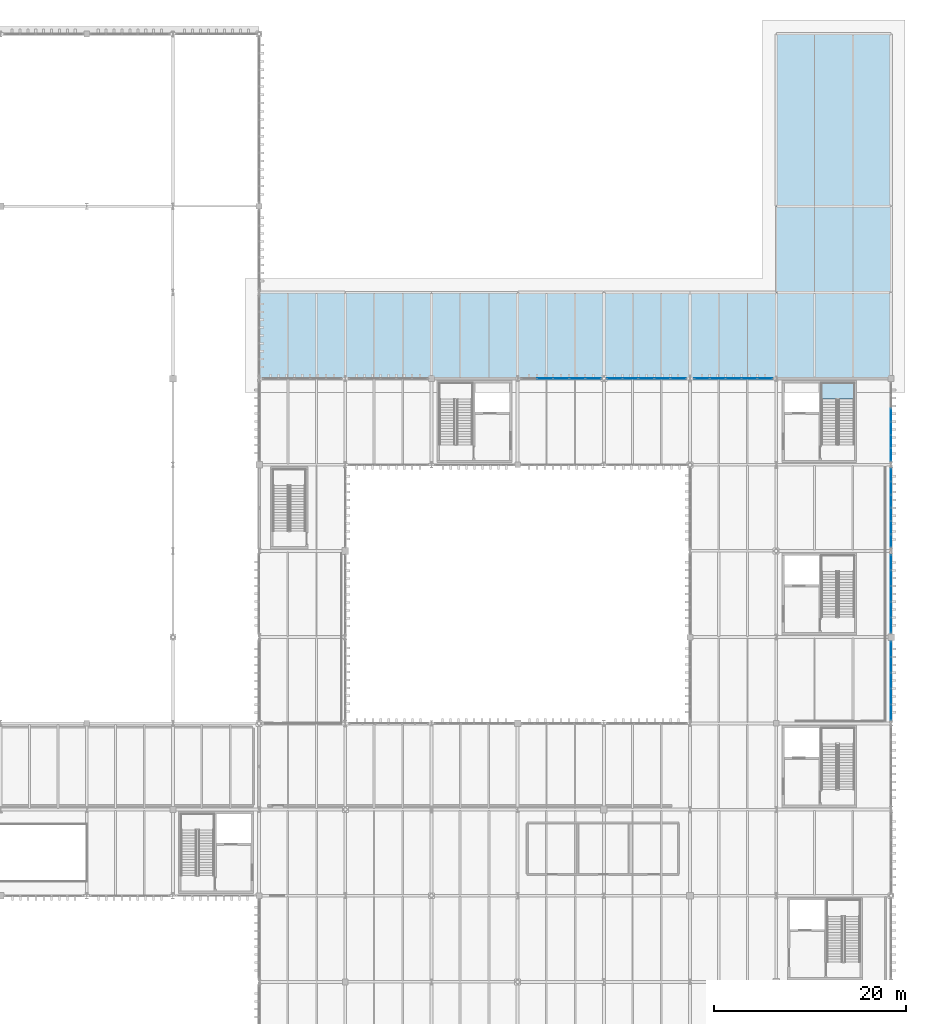
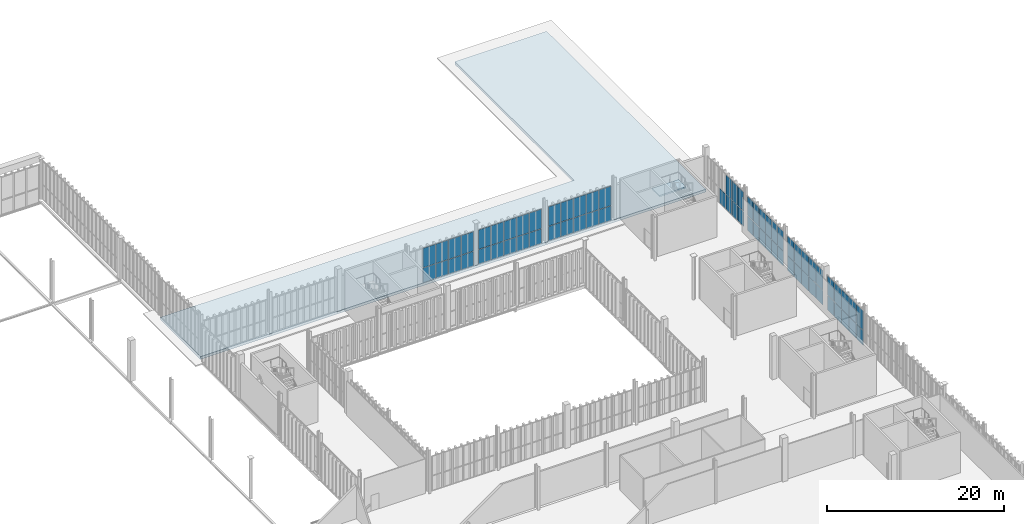
# One storey, part 194 of 237: 67 plates, 2 slabs, 8 elements without a shape of their own.
"""IFC4 building model written with IfcOpenShell, lengths in metres."""

from ifc_helpers import new_model, si_unit, direction, frame, origin, origin_2d, place, context, subcontext, project, spatial, polyline, rectangle, outline, extrude, material, layer, layer_set, type_object, element, aggregate, save


model = new_model("IFC4")

# Units and contexts
model_context = context("Model", 3, precision=1e-05, world=origin(), true_north=direction((0.0, 1.0)))
body_context = subcontext(model_context, "Body", "Model", "MODEL_VIEW")
ifc_project = project(units=[si_unit("LENGTHUNIT", "METRE"), si_unit("AREAUNIT", "SQUARE_METRE"), si_unit("VOLUMEUNIT", "CUBIC_METRE"), si_unit("PLANEANGLEUNIT", "RADIAN"), si_unit("MASSUNIT", "GRAM", prefix="KILO")], contexts=[model_context])

# Site, building, storey
site_placement = place(None, origin())
site = spatial("IfcSite", under=ifc_project, at=site_placement, CompositionType="ELEMENT")
building_placement = place(site_placement, origin())
building = spatial("IfcBuilding", under=site, at=building_placement, Name="Barlavento Convention Centre", CompositionType="ELEMENT")
storey_placement = place(building_placement, frame((0.0, 0.0, 12.0)))
storey = spatial("IfcBuildingStorey", under=building, at=storey_placement, Name="L02", CompositionType="ELEMENT", Elevation=12.0)

# Curtain wall, plates
ifc_material_1 = material(Name="Powder-coated aluminium and Low-E glass", Category="aluminium")
ifc_layer_1 = layer(ifc_material_1, 0.195068359375)
ifc_layer_set_1 = layer_set([ifc_layer_1], Name="ARC-CW-BALL-L02")
curtain_wall_type = type_object("IfcCurtainWallType", Name="ARC-CW-BALL-L02", PredefinedType="NOTDEFINED", material=ifc_layer_set_1)
curtain_wall_1_placement = place(storey_placement, origin())
curtain_wall_1 = element("IfcCurtainWall", 1, at=curtain_wall_1_placement, inside=storey, type_object=curtain_wall_type, Name="L02 unitised curtain wall CW07", PredefinedType="NOTDEFINED")
ifc_material_2 = material(Name="Double-silver Low-E insulated glass", Category="glass")
ifc_layer_2 = layer(ifc_material_2, 0.028076171875)
ifc_layer_set_2 = layer_set([ifc_layer_2], Name="ARC-CWP-GLZ28")
plate_type = type_object("IfcPlateType", Name="ARC-CWP-GLZ28", PredefinedType="CURTAIN_PANEL", material=ifc_layer_set_2)
plate_1_placement = place(storey_placement, frame((192.0, 64.171875, 0.06005859375), z_axis=(0.0, 0.0, 1.0), x_axis=(0.0, 1.0, 0.0)))
plate_1 = element("IfcPlate", 2, at=plate_1_placement, type_object=plate_type, Name="CW07 panel 1.1", PredefinedType="CURTAIN_PANEL", context=body_context, shape_type="SweptSolid", body=[
    extrude(rectangle(XDim=1.5595703125, YDim=0.028076171875, at=origin_2d()), origin(), (0.0, 0.0, 1.0), 2.010009765625),
])
plate_2_placement = place(storey_placement, frame((192.0, 64.171875, 2.1298828125), z_axis=(0.0, 0.0, 1.0), x_axis=(0.0, 1.0, 0.0)))
plate_2 = element("IfcPlate", 3, at=plate_2_placement, type_object=plate_type, Name="CW07 panel 1.2", PredefinedType="CURTAIN_PANEL", context=body_context, shape_type="SweptSolid", body=[
    extrude(rectangle(XDim=1.5595703125, YDim=0.028076171875, at=origin_2d()), origin(), (0.0, 0.0, 1.0), 2.659912109375),
])
plate_3_placement = place(storey_placement, frame((192.0, 65.806396484375, 0.06005859375), z_axis=(0.0, 0.0, 1.0), x_axis=(0.0, 1.0, 0.0)))
plate_3 = element("IfcPlate", 4, at=plate_3_placement, type_object=plate_type, Name="CW07 panel 2.1", PredefinedType="CURTAIN_PANEL", context=body_context, shape_type="SweptSolid", body=[
    extrude(rectangle(XDim=1.589599609375, YDim=0.028076171875, at=origin_2d()), origin(), (0.0, 0.0, 1.0), 2.010009765625),
])
plate_4_placement = place(storey_placement, frame((192.0, 65.806396484375, 2.1298828125), z_axis=(0.0, 0.0, 1.0), x_axis=(0.0, 1.0, 0.0)))
plate_4 = element("IfcPlate", 5, at=plate_4_placement, type_object=plate_type, Name="CW07 panel 2.2", PredefinedType="CURTAIN_PANEL", context=body_context, shape_type="SweptSolid", body=[
    extrude(rectangle(XDim=1.589599609375, YDim=0.028076171875, at=origin_2d()), origin(), (0.0, 0.0, 1.0), 2.659912109375),
])
plate_5_placement = place(storey_placement, frame((192.0, 67.4560546875, 0.06005859375), z_axis=(0.0, 0.0, 1.0), x_axis=(0.0, 1.0, 0.0)))
plate_5 = element("IfcPlate", 6, at=plate_5_placement, type_object=plate_type, Name="CW07 panel 3.1", PredefinedType="CURTAIN_PANEL", context=body_context, shape_type="SweptSolid", body=[
    extrude(rectangle(XDim=1.589599609375, YDim=0.028076171875, at=origin_2d()), origin(), (0.0, 0.0, 1.0), 2.010009765625),
])
plate_6_placement = place(storey_placement, frame((192.0, 67.4560546875, 2.1298828125), z_axis=(0.0, 0.0, 1.0), x_axis=(0.0, 1.0, 0.0)))
plate_6 = element("IfcPlate", 7, at=plate_6_placement, type_object=plate_type, Name="CW07 panel 3.2", PredefinedType="CURTAIN_PANEL", context=body_context, shape_type="SweptSolid", body=[
    extrude(rectangle(XDim=1.589599609375, YDim=0.028076171875, at=origin_2d()), origin(), (0.0, 0.0, 1.0), 2.659912109375),
])
plate_7_placement = place(storey_placement, frame((192.0, 69.105712890625, 0.06005859375), z_axis=(0.0, 0.0, 1.0), x_axis=(0.0, 1.0, 0.0)))
plate_7 = element("IfcPlate", 8, at=plate_7_placement, type_object=plate_type, Name="CW07 panel 4.1", PredefinedType="CURTAIN_PANEL", context=body_context, shape_type="SweptSolid", body=[
    extrude(rectangle(XDim=1.589599609375, YDim=0.028076171875, at=origin_2d()), origin(), (0.0, 0.0, 1.0), 2.010009765625),
])
plate_8_placement = place(storey_placement, frame((192.0, 69.105712890625, 2.1298828125), z_axis=(0.0, 0.0, 1.0), x_axis=(0.0, 1.0, 0.0)))
plate_8 = element("IfcPlate", 9, at=plate_8_placement, type_object=plate_type, Name="CW07 panel 4.2", PredefinedType="CURTAIN_PANEL", context=body_context, shape_type="SweptSolid", body=[
    extrude(rectangle(XDim=1.589599609375, YDim=0.028076171875, at=origin_2d()), origin(), (0.0, 0.0, 1.0), 2.659912109375),
])
plate_9_placement = place(storey_placement, frame((192.0, 70.740234375, 0.06005859375), z_axis=(0.0, 0.0, 1.0), x_axis=(0.0, 1.0, 0.0)))
plate_9 = element("IfcPlate", 10, at=plate_9_placement, type_object=plate_type, Name="CW07 panel 5.1", PredefinedType="CURTAIN_PANEL", context=body_context, shape_type="SweptSolid", body=[
    extrude(rectangle(XDim=1.5595703125, YDim=0.028076171875, at=origin_2d()), origin(), (0.0, 0.0, 1.0), 2.010009765625),
])
plate_10_placement = place(storey_placement, frame((192.0, 70.740234375, 2.1298828125), z_axis=(0.0, 0.0, 1.0), x_axis=(0.0, 1.0, 0.0)))
plate_10 = element("IfcPlate", 11, at=plate_10_placement, type_object=plate_type, Name="CW07 panel 5.2", PredefinedType="CURTAIN_PANEL", context=body_context, shape_type="SweptSolid", body=[
    extrude(rectangle(XDim=1.5595703125, YDim=0.028076171875, at=origin_2d()), origin(), (0.0, 0.0, 1.0), 2.659912109375),
])
aggregate(curtain_wall_1, [plate_1, plate_2, plate_3, plate_4, plate_5, plate_6, plate_7, plate_8, plate_9, plate_10])

curtain_wall_2_placement = place(storey_placement, origin())
curtain_wall_2 = element("IfcCurtainWall", 12, at=curtain_wall_2_placement, inside=storey, type_object=curtain_wall_type, Name="L02 unitised curtain wall CW07", PredefinedType="NOTDEFINED")
plate_11_placement = place(storey_placement, frame((192.0, 73.2548828125, 0.06005859375), z_axis=(0.0, 0.0, 1.0), x_axis=(0.0, 1.0, 0.0)))
plate_11 = element("IfcPlate", 13, at=plate_11_placement, type_object=plate_type, Name="CW07 panel 1.1", PredefinedType="CURTAIN_PANEL", context=body_context, shape_type="SweptSolid", body=[
    extrude(rectangle(XDim=1.550048828125, YDim=0.028076171875, at=origin_2d()), origin(), (0.0, 0.0, 1.0), 2.010009765625),
])
plate_12_placement = place(storey_placement, frame((192.0, 73.2548828125, 2.1298828125), z_axis=(0.0, 0.0, 1.0), x_axis=(0.0, 1.0, 0.0)))
plate_12 = element("IfcPlate", 14, at=plate_12_placement, type_object=plate_type, Name="CW07 panel 1.2", PredefinedType="CURTAIN_PANEL", context=body_context, shape_type="SweptSolid", body=[
    extrude(rectangle(XDim=1.550048828125, YDim=0.028076171875, at=origin_2d()), origin(), (0.0, 0.0, 1.0), 2.659912109375),
])
plate_13_placement = place(storey_placement, frame((192.0, 74.8798828125, 0.06005859375), z_axis=(0.0, 0.0, 1.0), x_axis=(0.0, 1.0, 0.0)))
plate_13 = element("IfcPlate", 15, at=plate_13_placement, type_object=plate_type, Name="CW07 panel 2.1", PredefinedType="CURTAIN_PANEL", context=body_context, shape_type="SweptSolid", body=[
    extrude(rectangle(XDim=1.580078125, YDim=0.028076171875, at=origin_2d()), origin(), (0.0, 0.0, 1.0), 2.010009765625),
])
plate_14_placement = place(storey_placement, frame((192.0, 74.8798828125, 2.1298828125), z_axis=(0.0, 0.0, 1.0), x_axis=(0.0, 1.0, 0.0)))
plate_14 = element("IfcPlate", 16, at=plate_14_placement, type_object=plate_type, Name="CW07 panel 2.2", PredefinedType="CURTAIN_PANEL", context=body_context, shape_type="SweptSolid", body=[
    extrude(rectangle(XDim=1.580078125, YDim=0.028076171875, at=origin_2d()), origin(), (0.0, 0.0, 1.0), 2.659912109375),
])
plate_15_placement = place(storey_placement, frame((192.0, 76.52001953125, 0.06005859375), z_axis=(0.0, 0.0, 1.0), x_axis=(0.0, 1.0, 0.0)))
plate_15 = element("IfcPlate", 17, at=plate_15_placement, type_object=plate_type, Name="CW07 panel 3.1", PredefinedType="CURTAIN_PANEL", context=body_context, shape_type="SweptSolid", body=[
    extrude(rectangle(XDim=1.580078125, YDim=0.028076171875, at=origin_2d()), origin(), (0.0, 0.0, 1.0), 2.010009765625),
])
plate_16_placement = place(storey_placement, frame((192.0, 76.52001953125, 2.1298828125), z_axis=(0.0, 0.0, 1.0), x_axis=(0.0, 1.0, 0.0)))
plate_16 = element("IfcPlate", 18, at=plate_16_placement, type_object=plate_type, Name="CW07 panel 3.2", PredefinedType="CURTAIN_PANEL", context=body_context, shape_type="SweptSolid", body=[
    extrude(rectangle(XDim=1.580078125, YDim=0.028076171875, at=origin_2d()), origin(), (0.0, 0.0, 1.0), 2.659912109375),
])
plate_17_placement = place(storey_placement, frame((192.0, 78.159912109375, 0.06005859375), z_axis=(0.0, 0.0, 1.0), x_axis=(0.0, 1.0, 0.0)))
plate_17 = element("IfcPlate", 19, at=plate_17_placement, type_object=plate_type, Name="CW07 panel 4.1", PredefinedType="CURTAIN_PANEL", context=body_context, shape_type="SweptSolid", body=[
    extrude(rectangle(XDim=1.580078125, YDim=0.028076171875, at=origin_2d()), origin(), (0.0, 0.0, 1.0), 2.010009765625),
])
plate_18_placement = place(storey_placement, frame((192.0, 78.159912109375, 2.1298828125), z_axis=(0.0, 0.0, 1.0), x_axis=(0.0, 1.0, 0.0)))
plate_18 = element("IfcPlate", 20, at=plate_18_placement, type_object=plate_type, Name="CW07 panel 4.2", PredefinedType="CURTAIN_PANEL", context=body_context, shape_type="SweptSolid", body=[
    extrude(rectangle(XDim=1.580078125, YDim=0.028076171875, at=origin_2d()), origin(), (0.0, 0.0, 1.0), 2.659912109375),
])
plate_19_placement = place(storey_placement, frame((192.0, 79.784912109375, 0.06005859375), z_axis=(0.0, 0.0, 1.0), x_axis=(0.0, 1.0, 0.0)))
plate_19 = element("IfcPlate", 21, at=plate_19_placement, type_object=plate_type, Name="CW07 panel 5.1", PredefinedType="CURTAIN_PANEL", context=body_context, shape_type="SweptSolid", body=[
    extrude(rectangle(XDim=1.550048828125, YDim=0.028076171875, at=origin_2d()), origin(), (0.0, 0.0, 1.0), 2.010009765625),
])
plate_20_placement = place(storey_placement, frame((192.0, 79.784912109375, 2.1298828125), z_axis=(0.0, 0.0, 1.0), x_axis=(0.0, 1.0, 0.0)))
plate_20 = element("IfcPlate", 22, at=plate_20_placement, type_object=plate_type, Name="CW07 panel 5.2", PredefinedType="CURTAIN_PANEL", context=body_context, shape_type="SweptSolid", body=[
    extrude(rectangle(XDim=1.550048828125, YDim=0.028076171875, at=origin_2d()), origin(), (0.0, 0.0, 1.0), 2.659912109375),
])
aggregate(curtain_wall_2, [plate_11, plate_12, plate_13, plate_14, plate_15, plate_16, plate_17, plate_18, plate_19, plate_20])

curtain_wall_3_placement = place(storey_placement, origin())
curtain_wall_3 = element("IfcCurtainWall", 23, at=curtain_wall_3_placement, inside=storey, type_object=curtain_wall_type, Name="L02 unitised curtain wall CW07", PredefinedType="NOTDEFINED")
plate_21_placement = place(storey_placement, frame((192.0, 82.08251953125, 0.06005859375), z_axis=(0.0, 0.0, 1.0), x_axis=(0.0, 1.0, 0.0)))
plate_21 = element("IfcPlate", 24, at=plate_21_placement, type_object=plate_type, Name="CW07 panel 1.1", PredefinedType="CURTAIN_PANEL", context=body_context, shape_type="SweptSolid", body=[
    extrude(rectangle(XDim=1.284912109375, YDim=0.028076171875, at=origin_2d()), origin(), (0.0, 0.0, 1.0), 2.010009765625),
])
plate_22_placement = place(storey_placement, frame((192.0, 82.08251953125, 2.1298828125), z_axis=(0.0, 0.0, 1.0), x_axis=(0.0, 1.0, 0.0)))
plate_22 = element("IfcPlate", 25, at=plate_22_placement, type_object=plate_type, Name="CW07 panel 1.2", PredefinedType="CURTAIN_PANEL", context=body_context, shape_type="SweptSolid", body=[
    extrude(rectangle(XDim=1.284912109375, YDim=0.028076171875, at=origin_2d()), origin(), (0.0, 0.0, 1.0), 2.659912109375),
])
plate_23_placement = place(storey_placement, frame((192.0, 83.4423828125, 0.06005859375), z_axis=(0.0, 0.0, 1.0), x_axis=(0.0, 1.0, 0.0)))
plate_23 = element("IfcPlate", 26, at=plate_23_placement, type_object=plate_type, Name="CW07 panel 2.1", PredefinedType="CURTAIN_PANEL", context=body_context, shape_type="SweptSolid", body=[
    extrude(rectangle(XDim=1.31494140625, YDim=0.028076171875, at=origin_2d()), origin(), (0.0, 0.0, 1.0), 2.010009765625),
])
plate_24_placement = place(storey_placement, frame((192.0, 83.4423828125, 2.1298828125), z_axis=(0.0, 0.0, 1.0), x_axis=(0.0, 1.0, 0.0)))
plate_24 = element("IfcPlate", 27, at=plate_24_placement, type_object=plate_type, Name="CW07 panel 2.2", PredefinedType="CURTAIN_PANEL", context=body_context, shape_type="SweptSolid", body=[
    extrude(rectangle(XDim=1.31494140625, YDim=0.028076171875, at=origin_2d()), origin(), (0.0, 0.0, 1.0), 2.659912109375),
])
plate_25_placement = place(storey_placement, frame((192.0, 84.8173828125, 0.06005859375), z_axis=(0.0, 0.0, 1.0), x_axis=(0.0, 1.0, 0.0)))
plate_25 = element("IfcPlate", 28, at=plate_25_placement, type_object=plate_type, Name="CW07 panel 3.1", PredefinedType="CURTAIN_PANEL", context=body_context, shape_type="SweptSolid", body=[
    extrude(rectangle(XDim=1.31494140625, YDim=0.028076171875, at=origin_2d()), origin(), (0.0, 0.0, 1.0), 2.010009765625),
])
plate_26_placement = place(storey_placement, frame((192.0, 84.8173828125, 2.1298828125), z_axis=(0.0, 0.0, 1.0), x_axis=(0.0, 1.0, 0.0)))
plate_26 = element("IfcPlate", 29, at=plate_26_placement, type_object=plate_type, Name="CW07 panel 3.2", PredefinedType="CURTAIN_PANEL", context=body_context, shape_type="SweptSolid", body=[
    extrude(rectangle(XDim=1.31494140625, YDim=0.028076171875, at=origin_2d()), origin(), (0.0, 0.0, 1.0), 2.659912109375),
])
plate_27_placement = place(storey_placement, frame((192.0, 86.1923828125, 0.06005859375), z_axis=(0.0, 0.0, 1.0), x_axis=(0.0, 1.0, 0.0)))
plate_27 = element("IfcPlate", 30, at=plate_27_placement, type_object=plate_type, Name="CW07 panel 4.1", PredefinedType="CURTAIN_PANEL", context=body_context, shape_type="SweptSolid", body=[
    extrude(rectangle(XDim=1.31494140625, YDim=0.028076171875, at=origin_2d()), origin(), (0.0, 0.0, 1.0), 2.010009765625),
])
plate_28_placement = place(storey_placement, frame((192.0, 86.1923828125, 2.1298828125), z_axis=(0.0, 0.0, 1.0), x_axis=(0.0, 1.0, 0.0)))
plate_28 = element("IfcPlate", 31, at=plate_28_placement, type_object=plate_type, Name="CW07 panel 4.2", PredefinedType="CURTAIN_PANEL", context=body_context, shape_type="SweptSolid", body=[
    extrude(rectangle(XDim=1.31494140625, YDim=0.028076171875, at=origin_2d()), origin(), (0.0, 0.0, 1.0), 2.659912109375),
])
plate_29_placement = place(storey_placement, frame((192.0, 87.5673828125, 0.06005859375), z_axis=(0.0, 0.0, 1.0), x_axis=(0.0, 1.0, 0.0)))
plate_29 = element("IfcPlate", 32, at=plate_29_placement, type_object=plate_type, Name="CW07 panel 5.1", PredefinedType="CURTAIN_PANEL", context=body_context, shape_type="SweptSolid", body=[
    extrude(rectangle(XDim=1.31494140625, YDim=0.028076171875, at=origin_2d()), origin(), (0.0, 0.0, 1.0), 2.010009765625),
])
plate_30_placement = place(storey_placement, frame((192.0, 87.5673828125, 2.1298828125), z_axis=(0.0, 0.0, 1.0), x_axis=(0.0, 1.0, 0.0)))
plate_30 = element("IfcPlate", 33, at=plate_30_placement, type_object=plate_type, Name="CW07 panel 5.2", PredefinedType="CURTAIN_PANEL", context=body_context, shape_type="SweptSolid", body=[
    extrude(rectangle(XDim=1.31494140625, YDim=0.028076171875, at=origin_2d()), origin(), (0.0, 0.0, 1.0), 2.659912109375),
])
plate_31_placement = place(storey_placement, frame((192.0, 88.927490234375, 0.06005859375), z_axis=(0.0, 0.0, 1.0), x_axis=(0.0, 1.0, 0.0)))
plate_31 = element("IfcPlate", 34, at=plate_31_placement, type_object=plate_type, Name="CW07 panel 6.1", PredefinedType="CURTAIN_PANEL", context=body_context, shape_type="SweptSolid", body=[
    extrude(rectangle(XDim=1.284912109375, YDim=0.028076171875, at=origin_2d()), origin(), (0.0, 0.0, 1.0), 2.010009765625),
])
plate_32_placement = place(storey_placement, frame((192.0, 88.927490234375, 2.1298828125), z_axis=(0.0, 0.0, 1.0), x_axis=(0.0, 1.0, 0.0)))
plate_32 = element("IfcPlate", 35, at=plate_32_placement, type_object=plate_type, Name="CW07 panel 6.2", PredefinedType="CURTAIN_PANEL", context=body_context, shape_type="SweptSolid", body=[
    extrude(rectangle(XDim=1.284912109375, YDim=0.028076171875, at=origin_2d()), origin(), (0.0, 0.0, 1.0), 2.659912109375),
])
aggregate(curtain_wall_3, [plate_21, plate_22, plate_23, plate_24, plate_25, plate_26, plate_27, plate_28, plate_29, plate_30, plate_31, plate_32])

curtain_wall_4_placement = place(storey_placement, origin())
curtain_wall_4 = element("IfcCurtainWall", 36, at=curtain_wall_4_placement, inside=storey, type_object=curtain_wall_type, Name="L02 unitised curtain wall CW07", PredefinedType="NOTDEFINED")
plate_33_placement = place(storey_placement, frame((192.0, 91.0732421875, 0.06005859375), z_axis=(0.0, 0.0, 1.0), x_axis=(0.0, 1.0, 0.0)))
plate_33 = element("IfcPlate", 37, at=plate_33_placement, type_object=plate_type, Name="CW07 panel 1.1", PredefinedType="CURTAIN_PANEL", context=body_context, shape_type="SweptSolid", body=[
    extrude(rectangle(XDim=1.28662109375, YDim=0.028076171875, at=origin_2d()), origin(), (0.0, 0.0, 1.0), 2.010009765625),
])
plate_34_placement = place(storey_placement, frame((192.0, 91.0732421875, 2.1298828125), z_axis=(0.0, 0.0, 1.0), x_axis=(0.0, 1.0, 0.0)))
plate_34 = element("IfcPlate", 38, at=plate_34_placement, type_object=plate_type, Name="CW07 panel 1.2", PredefinedType="CURTAIN_PANEL", context=body_context, shape_type="SweptSolid", body=[
    extrude(rectangle(XDim=1.28662109375, YDim=0.028076171875, at=origin_2d()), origin(), (0.0, 0.0, 1.0), 2.659912109375),
])
plate_35_placement = place(storey_placement, frame((192.0, 92.43505859375, 0.06005859375), z_axis=(0.0, 0.0, 1.0), x_axis=(0.0, 1.0, 0.0)))
plate_35 = element("IfcPlate", 39, at=plate_35_placement, type_object=plate_type, Name="CW07 panel 2.1", PredefinedType="CURTAIN_PANEL", context=body_context, shape_type="SweptSolid", body=[
    extrude(rectangle(XDim=1.316650390625, YDim=0.028076171875, at=origin_2d()), origin(), (0.0, 0.0, 1.0), 2.010009765625),
])
plate_36_placement = place(storey_placement, frame((192.0, 92.43505859375, 2.1298828125), z_axis=(0.0, 0.0, 1.0), x_axis=(0.0, 1.0, 0.0)))
plate_36 = element("IfcPlate", 40, at=plate_36_placement, type_object=plate_type, Name="CW07 panel 2.2", PredefinedType="CURTAIN_PANEL", context=body_context, shape_type="SweptSolid", body=[
    extrude(rectangle(XDim=1.316650390625, YDim=0.028076171875, at=origin_2d()), origin(), (0.0, 0.0, 1.0), 2.659912109375),
])
plate_37_placement = place(storey_placement, frame((192.0, 93.811767578125, 0.06005859375), z_axis=(0.0, 0.0, 1.0), x_axis=(0.0, 1.0, 0.0)))
plate_37 = element("IfcPlate", 41, at=plate_37_placement, type_object=plate_type, Name="CW07 panel 3.1", PredefinedType="CURTAIN_PANEL", context=body_context, shape_type="SweptSolid", body=[
    extrude(rectangle(XDim=1.316650390625, YDim=0.028076171875, at=origin_2d()), origin(), (0.0, 0.0, 1.0), 2.010009765625),
])
plate_38_placement = place(storey_placement, frame((192.0, 93.811767578125, 2.1298828125), z_axis=(0.0, 0.0, 1.0), x_axis=(0.0, 1.0, 0.0)))
plate_38 = element("IfcPlate", 42, at=plate_38_placement, type_object=plate_type, Name="CW07 panel 3.2", PredefinedType="CURTAIN_PANEL", context=body_context, shape_type="SweptSolid", body=[
    extrude(rectangle(XDim=1.316650390625, YDim=0.028076171875, at=origin_2d()), origin(), (0.0, 0.0, 1.0), 2.659912109375),
])
plate_39_placement = place(storey_placement, frame((192.0, 95.188232421875, 0.06005859375), z_axis=(0.0, 0.0, 1.0), x_axis=(0.0, 1.0, 0.0)))
plate_39 = element("IfcPlate", 43, at=plate_39_placement, type_object=plate_type, Name="CW07 panel 4.1", PredefinedType="CURTAIN_PANEL", context=body_context, shape_type="SweptSolid", body=[
    extrude(rectangle(XDim=1.316650390625, YDim=0.028076171875, at=origin_2d()), origin(), (0.0, 0.0, 1.0), 2.010009765625),
])
aggregate(curtain_wall_4, [plate_33, plate_34, plate_35, plate_36, plate_37, plate_38, plate_39])

curtain_wall_5_placement = place(storey_placement, origin())
curtain_wall_5 = element("IfcCurtainWall", 44, at=curtain_wall_5_placement, inside=storey, type_object=curtain_wall_type, Name="L02 unitised curtain wall CW07", PredefinedType="NOTDEFINED")
plate_40_placement = place(storey_placement, frame((155.8671875, 99.0, 0.06005859375), z_axis=(0.0, 0.0, 1.0), x_axis=(1.0, 0.0, 0.0)))
plate_40 = element("IfcPlate", 45, at=plate_40_placement, type_object=plate_type, Name="CW07 panel 2.1", PredefinedType="CURTAIN_PANEL", context=body_context, shape_type="SweptSolid", body=[
    extrude(rectangle(XDim=1.6142578125, YDim=0.028076171875, at=origin_2d()), origin(), (0.0, 0.0, 1.0), 2.010009765625),
])
plate_41_placement = place(storey_placement, frame((155.8671875, 99.0, 2.1298828125), z_axis=(0.0, 0.0, 1.0), x_axis=(1.0, 0.0, 0.0)))
plate_41 = element("IfcPlate", 46, at=plate_41_placement, type_object=plate_type, Name="CW07 panel 2.2", PredefinedType="CURTAIN_PANEL", context=body_context, shape_type="SweptSolid", body=[
    extrude(rectangle(XDim=1.6142578125, YDim=0.028076171875, at=origin_2d()), origin(), (0.0, 0.0, 1.0), 2.659912109375),
])
plate_42_placement = place(storey_placement, frame((157.54150390625, 99.0, 0.06005859375), z_axis=(0.0, 0.0, 1.0), x_axis=(1.0, 0.0, 0.0)))
plate_42 = element("IfcPlate", 47, at=plate_42_placement, type_object=plate_type, Name="CW07 panel 3.1", PredefinedType="CURTAIN_PANEL", context=body_context, shape_type="SweptSolid", body=[
    extrude(rectangle(XDim=1.6142578125, YDim=0.028076171875, at=origin_2d()), origin(), (0.0, 0.0, 1.0), 2.010009765625),
])
plate_43_placement = place(storey_placement, frame((157.54150390625, 99.0, 2.1298828125), z_axis=(0.0, 0.0, 1.0), x_axis=(1.0, 0.0, 0.0)))
plate_43 = element("IfcPlate", 48, at=plate_43_placement, type_object=plate_type, Name="CW07 panel 3.2", PredefinedType="CURTAIN_PANEL", context=body_context, shape_type="SweptSolid", body=[
    extrude(rectangle(XDim=1.6142578125, YDim=0.028076171875, at=origin_2d()), origin(), (0.0, 0.0, 1.0), 2.659912109375),
])
plate_44_placement = place(storey_placement, frame((159.215576171875, 99.0, 0.06005859375), z_axis=(0.0, 0.0, 1.0), x_axis=(1.0, 0.0, 0.0)))
plate_44 = element("IfcPlate", 49, at=plate_44_placement, type_object=plate_type, Name="CW07 panel 4.1", PredefinedType="CURTAIN_PANEL", context=body_context, shape_type="SweptSolid", body=[
    extrude(rectangle(XDim=1.6142578125, YDim=0.028076171875, at=origin_2d()), origin(), (0.0, 0.0, 1.0), 2.010009765625),
])
plate_45_placement = place(storey_placement, frame((159.215576171875, 99.0, 2.1298828125), z_axis=(0.0, 0.0, 1.0), x_axis=(1.0, 0.0, 0.0)))
plate_45 = element("IfcPlate", 50, at=plate_45_placement, type_object=plate_type, Name="CW07 panel 4.2", PredefinedType="CURTAIN_PANEL", context=body_context, shape_type="SweptSolid", body=[
    extrude(rectangle(XDim=1.6142578125, YDim=0.028076171875, at=origin_2d()), origin(), (0.0, 0.0, 1.0), 2.659912109375),
])
plate_46_placement = place(storey_placement, frame((160.874755859375, 99.0, 0.06005859375), z_axis=(0.0, 0.0, 1.0), x_axis=(1.0, 0.0, 0.0)))
plate_46 = element("IfcPlate", 51, at=plate_46_placement, type_object=plate_type, Name="CW07 panel 5.1", PredefinedType="CURTAIN_PANEL", context=body_context, shape_type="SweptSolid", body=[
    extrude(rectangle(XDim=1.584228515625, YDim=0.028076171875, at=origin_2d()), origin(), (0.0, 0.0, 1.0), 2.010009765625),
])
plate_47_placement = place(storey_placement, frame((160.874755859375, 99.0, 2.1298828125), z_axis=(0.0, 0.0, 1.0), x_axis=(1.0, 0.0, 0.0)))
plate_47 = element("IfcPlate", 52, at=plate_47_placement, type_object=plate_type, Name="CW07 panel 5.2", PredefinedType="CURTAIN_PANEL", context=body_context, shape_type="SweptSolid", body=[
    extrude(rectangle(XDim=1.584228515625, YDim=0.028076171875, at=origin_2d()), origin(), (0.0, 0.0, 1.0), 2.659912109375),
])
aggregate(curtain_wall_5, [plate_40, plate_41, plate_42, plate_43, plate_44, plate_45, plate_46, plate_47])

curtain_wall_6_placement = place(storey_placement, origin())
curtain_wall_6 = element("IfcCurtainWall", 53, at=curtain_wall_6_placement, inside=storey, type_object=curtain_wall_type, Name="L02 unitised curtain wall CW07", PredefinedType="NOTDEFINED")
plate_48_placement = place(storey_placement, frame((163.120361328125, 99.0, 0.06005859375), z_axis=(0.0, 0.0, 1.0), x_axis=(1.0, 0.0, 0.0)))
plate_48 = element("IfcPlate", 54, at=plate_48_placement, type_object=plate_type, Name="CW07 panel 1.1", PredefinedType="CURTAIN_PANEL", context=body_context, shape_type="SweptSolid", body=[
    extrude(rectangle(XDim=1.574462890625, YDim=0.028076171875, at=origin_2d()), origin(), (0.0, 0.0, 1.0), 2.010009765625),
])
plate_49_placement = place(storey_placement, frame((163.120361328125, 99.0, 2.1298828125), z_axis=(0.0, 0.0, 1.0), x_axis=(1.0, 0.0, 0.0)))
plate_49 = element("IfcPlate", 55, at=plate_49_placement, type_object=plate_type, Name="CW07 panel 1.2", PredefinedType="CURTAIN_PANEL", context=body_context, shape_type="SweptSolid", body=[
    extrude(rectangle(XDim=1.574462890625, YDim=0.028076171875, at=origin_2d()), origin(), (0.0, 0.0, 1.0), 2.659912109375),
])
plate_50_placement = place(storey_placement, frame((164.77001953125, 99.0, 0.06005859375), z_axis=(0.0, 0.0, 1.0), x_axis=(1.0, 0.0, 0.0)))
plate_50 = element("IfcPlate", 56, at=plate_50_placement, type_object=plate_type, Name="CW07 panel 2.1", PredefinedType="CURTAIN_PANEL", context=body_context, shape_type="SweptSolid", body=[
    extrude(rectangle(XDim=1.6044921875, YDim=0.028076171875, at=origin_2d()), origin(), (0.0, 0.0, 1.0), 2.010009765625),
])
plate_51_placement = place(storey_placement, frame((164.77001953125, 99.0, 2.1298828125), z_axis=(0.0, 0.0, 1.0), x_axis=(1.0, 0.0, 0.0)))
plate_51 = element("IfcPlate", 57, at=plate_51_placement, type_object=plate_type, Name="CW07 panel 2.2", PredefinedType="CURTAIN_PANEL", context=body_context, shape_type="SweptSolid", body=[
    extrude(rectangle(XDim=1.6044921875, YDim=0.028076171875, at=origin_2d()), origin(), (0.0, 0.0, 1.0), 2.659912109375),
])
plate_52_placement = place(storey_placement, frame((166.4345703125, 99.0, 0.06005859375), z_axis=(0.0, 0.0, 1.0), x_axis=(1.0, 0.0, 0.0)))
plate_52 = element("IfcPlate", 58, at=plate_52_placement, type_object=plate_type, Name="CW07 panel 3.1", PredefinedType="CURTAIN_PANEL", context=body_context, shape_type="SweptSolid", body=[
    extrude(rectangle(XDim=1.6044921875, YDim=0.028076171875, at=origin_2d()), origin(), (0.0, 0.0, 1.0), 2.010009765625),
])
plate_53_placement = place(storey_placement, frame((166.4345703125, 99.0, 2.1298828125), z_axis=(0.0, 0.0, 1.0), x_axis=(1.0, 0.0, 0.0)))
plate_53 = element("IfcPlate", 59, at=plate_53_placement, type_object=plate_type, Name="CW07 panel 3.2", PredefinedType="CURTAIN_PANEL", context=body_context, shape_type="SweptSolid", body=[
    extrude(rectangle(XDim=1.6044921875, YDim=0.028076171875, at=origin_2d()), origin(), (0.0, 0.0, 1.0), 2.659912109375),
])
plate_54_placement = place(storey_placement, frame((168.09912109375, 99.0, 0.06005859375), z_axis=(0.0, 0.0, 1.0), x_axis=(1.0, 0.0, 0.0)))
plate_54 = element("IfcPlate", 60, at=plate_54_placement, type_object=plate_type, Name="CW07 panel 4.1", PredefinedType="CURTAIN_PANEL", context=body_context, shape_type="SweptSolid", body=[
    extrude(rectangle(XDim=1.6044921875, YDim=0.028076171875, at=origin_2d()), origin(), (0.0, 0.0, 1.0), 2.010009765625),
])
plate_55_placement = place(storey_placement, frame((168.09912109375, 99.0, 2.1298828125), z_axis=(0.0, 0.0, 1.0), x_axis=(1.0, 0.0, 0.0)))
plate_55 = element("IfcPlate", 61, at=plate_55_placement, type_object=plate_type, Name="CW07 panel 4.2", PredefinedType="CURTAIN_PANEL", context=body_context, shape_type="SweptSolid", body=[
    extrude(rectangle(XDim=1.6044921875, YDim=0.028076171875, at=origin_2d()), origin(), (0.0, 0.0, 1.0), 2.659912109375),
])
plate_56_placement = place(storey_placement, frame((169.748779296875, 99.0, 0.06005859375), z_axis=(0.0, 0.0, 1.0), x_axis=(1.0, 0.0, 0.0)))
plate_56 = element("IfcPlate", 62, at=plate_56_placement, type_object=plate_type, Name="CW07 panel 5.1", PredefinedType="CURTAIN_PANEL", context=body_context, shape_type="SweptSolid", body=[
    extrude(rectangle(XDim=1.574462890625, YDim=0.028076171875, at=origin_2d()), origin(), (0.0, 0.0, 1.0), 2.010009765625),
])
plate_57_placement = place(storey_placement, frame((169.748779296875, 99.0, 2.1298828125), z_axis=(0.0, 0.0, 1.0), x_axis=(1.0, 0.0, 0.0)))
plate_57 = element("IfcPlate", 63, at=plate_57_placement, type_object=plate_type, Name="CW07 panel 5.2", PredefinedType="CURTAIN_PANEL", context=body_context, shape_type="SweptSolid", body=[
    extrude(rectangle(XDim=1.574462890625, YDim=0.028076171875, at=origin_2d()), origin(), (0.0, 0.0, 1.0), 2.659912109375),
])
aggregate(curtain_wall_6, [plate_48, plate_49, plate_50, plate_51, plate_52, plate_53, plate_54, plate_55, plate_56, plate_57])

curtain_wall_7_placement = place(storey_placement, origin())
curtain_wall_7 = element("IfcCurtainWall", 64, at=curtain_wall_7_placement, inside=storey, type_object=curtain_wall_type, Name="L02 unitised curtain wall CW07", PredefinedType="NOTDEFINED")
plate_58_placement = place(storey_placement, frame((172.245361328125, 99.0, 0.06005859375), z_axis=(0.0, 0.0, 1.0), x_axis=(1.0, 0.0, 0.0)))
plate_58 = element("IfcPlate", 65, at=plate_58_placement, type_object=plate_type, Name="CW07 panel 1.1", PredefinedType="CURTAIN_PANEL", context=body_context, shape_type="SweptSolid", body=[
    extrude(rectangle(XDim=1.562744140625, YDim=0.028076171875, at=origin_2d()), origin(), (0.0, 0.0, 1.0), 2.010009765625),
])
plate_59_placement = place(storey_placement, frame((172.245361328125, 99.0, 2.1298828125), z_axis=(0.0, 0.0, 1.0), x_axis=(1.0, 0.0, 0.0)))
plate_59 = element("IfcPlate", 66, at=plate_59_placement, type_object=plate_type, Name="CW07 panel 1.2", PredefinedType="CURTAIN_PANEL", context=body_context, shape_type="SweptSolid", body=[
    extrude(rectangle(XDim=1.562744140625, YDim=0.028076171875, at=origin_2d()), origin(), (0.0, 0.0, 1.0), 2.659912109375),
])
plate_60_placement = place(storey_placement, frame((173.88330078125, 99.0, 0.06005859375), z_axis=(0.0, 0.0, 1.0), x_axis=(1.0, 0.0, 0.0)))
plate_60 = element("IfcPlate", 67, at=plate_60_placement, type_object=plate_type, Name="CW07 panel 2.1", PredefinedType="CURTAIN_PANEL", context=body_context, shape_type="SweptSolid", body=[
    extrude(rectangle(XDim=1.5927734375, YDim=0.028076171875, at=origin_2d()), origin(), (0.0, 0.0, 1.0), 2.010009765625),
])
plate_61_placement = place(storey_placement, frame((173.88330078125, 99.0, 2.1298828125), z_axis=(0.0, 0.0, 1.0), x_axis=(1.0, 0.0, 0.0)))
plate_61 = element("IfcPlate", 68, at=plate_61_placement, type_object=plate_type, Name="CW07 panel 2.2", PredefinedType="CURTAIN_PANEL", context=body_context, shape_type="SweptSolid", body=[
    extrude(rectangle(XDim=1.5927734375, YDim=0.028076171875, at=origin_2d()), origin(), (0.0, 0.0, 1.0), 2.659912109375),
])
plate_62_placement = place(storey_placement, frame((175.535888671875, 99.0, 0.06005859375), z_axis=(0.0, 0.0, 1.0), x_axis=(1.0, 0.0, 0.0)))
plate_62 = element("IfcPlate", 69, at=plate_62_placement, type_object=plate_type, Name="CW07 panel 3.1", PredefinedType="CURTAIN_PANEL", context=body_context, shape_type="SweptSolid", body=[
    extrude(rectangle(XDim=1.5927734375, YDim=0.028076171875, at=origin_2d()), origin(), (0.0, 0.0, 1.0), 2.010009765625),
])
plate_63_placement = place(storey_placement, frame((175.535888671875, 99.0, 2.1298828125), z_axis=(0.0, 0.0, 1.0), x_axis=(1.0, 0.0, 0.0)))
plate_63 = element("IfcPlate", 70, at=plate_63_placement, type_object=plate_type, Name="CW07 panel 3.2", PredefinedType="CURTAIN_PANEL", context=body_context, shape_type="SweptSolid", body=[
    extrude(rectangle(XDim=1.5927734375, YDim=0.028076171875, at=origin_2d()), origin(), (0.0, 0.0, 1.0), 2.659912109375),
])
plate_64_placement = place(storey_placement, frame((177.188720703125, 99.0, 0.06005859375), z_axis=(0.0, 0.0, 1.0), x_axis=(1.0, 0.0, 0.0)))
plate_64 = element("IfcPlate", 71, at=plate_64_placement, type_object=plate_type, Name="CW07 panel 4.1", PredefinedType="CURTAIN_PANEL", context=body_context, shape_type="SweptSolid", body=[
    extrude(rectangle(XDim=1.5927734375, YDim=0.028076171875, at=origin_2d()), origin(), (0.0, 0.0, 1.0), 2.010009765625),
])
plate_65_placement = place(storey_placement, frame((177.188720703125, 99.0, 2.1298828125), z_axis=(0.0, 0.0, 1.0), x_axis=(1.0, 0.0, 0.0)))
plate_65 = element("IfcPlate", 72, at=plate_65_placement, type_object=plate_type, Name="CW07 panel 4.2", PredefinedType="CURTAIN_PANEL", context=body_context, shape_type="SweptSolid", body=[
    extrude(rectangle(XDim=1.5927734375, YDim=0.028076171875, at=origin_2d()), origin(), (0.0, 0.0, 1.0), 2.659912109375),
])
plate_66_placement = place(storey_placement, frame((178.82666015625, 99.0, 0.06005859375), z_axis=(0.0, 0.0, 1.0), x_axis=(1.0, 0.0, 0.0)))
plate_66 = element("IfcPlate", 73, at=plate_66_placement, type_object=plate_type, Name="CW07 panel 5.1", PredefinedType="CURTAIN_PANEL", context=body_context, shape_type="SweptSolid", body=[
    extrude(rectangle(XDim=1.562744140625, YDim=0.028076171875, at=origin_2d()), origin(), (0.0, 0.0, 1.0), 2.010009765625),
])
plate_67_placement = place(storey_placement, frame((178.82666015625, 99.0, 2.1298828125), z_axis=(0.0, 0.0, 1.0), x_axis=(1.0, 0.0, 0.0)))
plate_67 = element("IfcPlate", 74, at=plate_67_placement, type_object=plate_type, Name="CW07 panel 5.2", PredefinedType="CURTAIN_PANEL", context=body_context, shape_type="SweptSolid", body=[
    extrude(rectangle(XDim=1.562744140625, YDim=0.028076171875, at=origin_2d()), origin(), (0.0, 0.0, 1.0), 2.659912109375),
])
aggregate(curtain_wall_7, [plate_58, plate_59, plate_60, plate_61, plate_62, plate_63, plate_64, plate_65, plate_66, plate_67])

# Stair, slab
ifc_material_3 = material(Name="Concrete C40/50", Category="concrete")
stair_type = type_object("IfcStairType", Name="ARC-STR-DOG-1620", PredefinedType="HALF_TURN_STAIR", material=ifc_material_3)
stair_placement = place(storey_placement, origin())
stair = element("IfcStair", 75, at=stair_placement, inside=storey, type_object=stair_type, Name="L02 ST08", PredefinedType="HALF_TURN_STAIR")
ifc_layer_3 = layer(ifc_material_3, 0.199951171875)
ifc_layer_set_3 = layer_set([ifc_layer_3], Name="ARC-SLB-LND-200")
slab_type_1 = type_object("IfcSlabType", Name="ARC-SLB-LND-200", PredefinedType="LANDING", material=ifc_layer_set_3)
slab_1_placement = place(storey_placement, frame((0.0, 0.0, 2.800048828125)))
slab_1 = element("IfcSlab", 76, at=slab_1_placement, type_object=slab_type_1, Name="ST08 landing 1", PredefinedType="LANDING", context=body_context, shape_type="SweptSolid", body=[
    extrude(outline(polyline([(188.14990234375, 96.85009765625), (188.14990234375, 98.530029296875), (184.7099609375, 98.530029296875), (184.7099609375, 96.85009765625), (188.14990234375, 96.85009765625)])), origin(), (0.0, 0.0, 1.0), 0.199951171875),
])
aggregate(stair, [slab_1])

# Slab
ifc_layer_4 = layer(ifc_material_3, 0.364990234375)
ifc_layer_set_4 = layer_set([ifc_layer_4], Name="STR-SLB-ROOF-360")
slab_type_2 = type_object("IfcSlabType", Name="STR-SLB-ROOF-360", PredefinedType="ROOF", material=ifc_layer_set_4)
slab_2_placement = place(storey_placement, frame((0.0, 0.0, -0.364990234375)))
element("IfcSlab", 77, at=slab_2_placement, inside=storey, type_object=slab_type_2, Name="L02 structural flat roof slab RS-201", PredefinedType="ROOF", context=body_context, shape_type="SweptSolid", body=[
    extrude(outline(polyline([(126.0, 99.0), (192.0, 99.0), (192.0, 135.0), (180.0, 135.0), (180.0, 108.0), (126.0, 108.0), (126.0, 99.0)])), origin(), (0.0, 0.0, 1.0), 0.364990234375),
])

save(model, "model.ifc")
